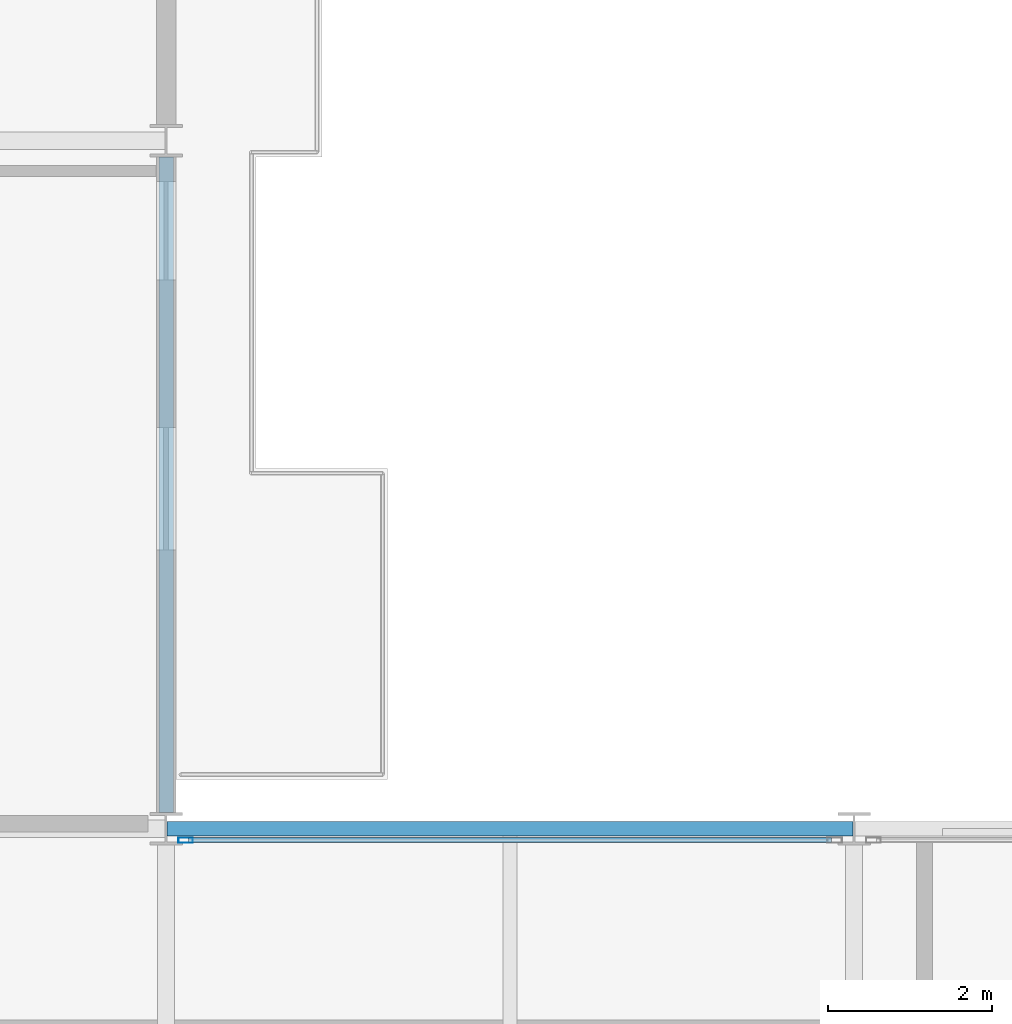
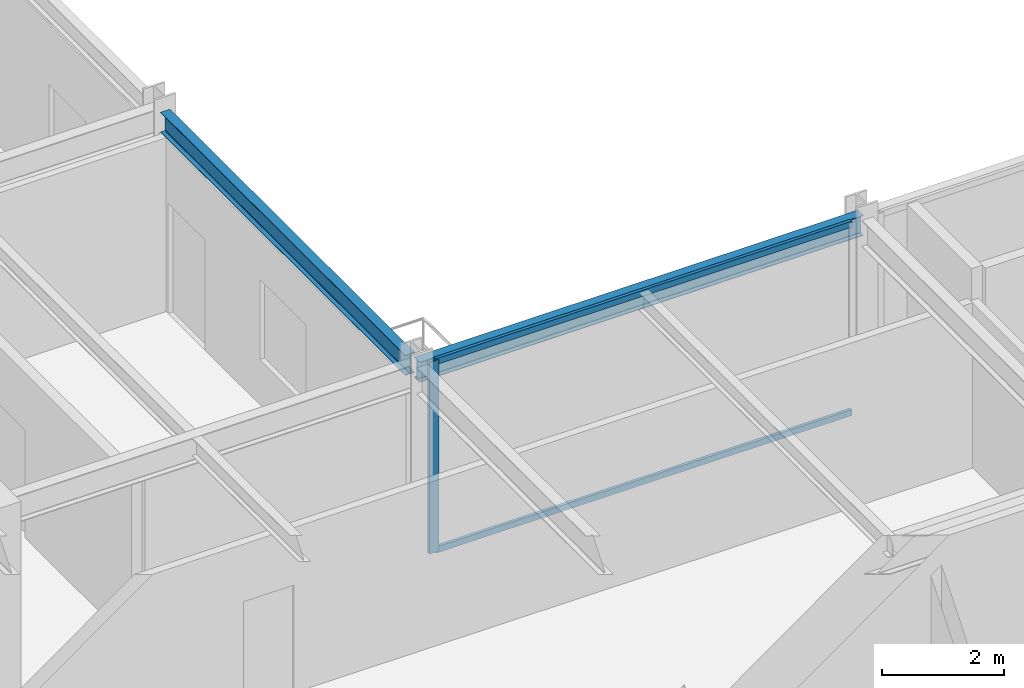
# One storey, part 12 of 29: 3 members, 2 beams, 1 element without a shape of its own.
"""IFC4 building model written with IfcOpenShell, lengths in metres."""

import ifcopenshell
import ifcopenshell.guid

model = None  # the IFC model being written
_history = None  # IfcOwnerHistory: only IFC2X3 demands one
_inside = {}  # id of a spatial element -> (the spatial element, [elements in it])
_under = {}  # id of a project, library or spatial element -> (it, [spatial elements below it])
_declared = {}  # id of a project -> (the project, [libraries it declares])
_typed = {}  # id of a type object -> (the type object, [elements of that type])
_made_of = {}  # id of a material, layer set ... -> (it, [elements and type objects made of it])


def new_model(schema):
    """Start an empty IFC model of exactly this schema.

    Asked for "IFC4X3", IfcOpenShell would pick the latest addendum, in which some entities
    have other attributes; the version numbers below select the first issue.
    IFC2X3 requires an IfcOwnerHistory on every rooted entity: one is made here for all.
    """
    global model, _history
    if schema == "IFC4X3":
        model = ifcopenshell.file(schema_version=(4, 3, 0, 0))
    else:
        model = ifcopenshell.file(schema=schema)
    _inside.clear()
    _under.clear()
    _declared.clear()
    _typed.clear()
    _made_of.clear()
    _history = None
    if model.schema == "IFC2X3":
        org = make("IfcOrganization", Name="unknown")
        user = make(
            "IfcPersonAndOrganization",
            ThePerson=make("IfcPerson", FamilyName="unknown"),
            TheOrganization=org,
        )
        app = make(
            "IfcApplication",
            ApplicationDeveloper=org,
            Version="unknown",
            ApplicationFullName="unknown",
            ApplicationIdentifier="unknown",
        )
        _history = make(
            "IfcOwnerHistory",
            OwningUser=user,
            OwningApplication=app,
            ChangeAction="ADDED",
            CreationDate=0,
        )
    return model


def make(cls, **values):
    """One entity of the class cls with the attributes given. An attribute that is None is left unset."""
    return model.create_entity(
        cls, **{name: value for name, value in values.items() if value is not None}
    )


def rooted(cls, **values):
    """An entity with a GlobalId (a new one), such as an element, a storey or a relation."""
    return make(cls, GlobalId=ifcopenshell.guid.new(), OwnerHistory=_history, **values)


def si_unit(unit_type, name, prefix=None):
    """IfcSIUnit, for example si_unit("LENGTHUNIT", "METRE", prefix="MILLI")."""
    return make("IfcSIUnit", UnitType=unit_type, Prefix=prefix, Name=name)


def assignment(units):
    """IfcUnitAssignment: the units of a project."""
    return None if units is None else make("IfcUnitAssignment", Units=units)


def point(xyz):
    """IfcCartesianPoint."""
    return None if xyz is None else make("IfcCartesianPoint", Coordinates=xyz)


def direction(xyz):
    """IfcDirection."""
    return None if xyz is None else make("IfcDirection", DirectionRatios=xyz)


def frame(location, z_axis=None, x_axis=None):
    """IfcAxis2Placement3D, a coordinate frame: its origin and axes. An axis left out is left unset."""
    return make(
        "IfcAxis2Placement3D",
        Location=point(location),
        Axis=direction(z_axis),
        RefDirection=direction(x_axis),
    )


def frame_2d(location, x_axis=None):
    """IfcAxis2Placement2D, a coordinate frame in the plane: its origin and x axis."""
    return make(
        "IfcAxis2Placement2D", Location=point(location), RefDirection=direction(x_axis)
    )


def origin():
    """The frame at (0, 0, 0) with its axes left unset."""
    return frame((0.0, 0.0, 0.0))


def origin_2d():
    """The frame at (0, 0) in the plane with its x axis left unset."""
    return frame_2d((0.0, 0.0))


def place(relative_to, where):
    """IfcLocalPlacement: puts the frame where relative to a parent placement (None: the world)."""
    return make(
        "IfcLocalPlacement", PlacementRelTo=relative_to, RelativePlacement=where
    )


def context(
    kind, dimensions, precision=None, world=None, true_north=None, identifier=None
):
    """IfcGeometricRepresentationContext, for example the 3D "Model" context."""
    return make(
        "IfcGeometricRepresentationContext",
        ContextIdentifier=identifier,
        ContextType=kind,
        CoordinateSpaceDimension=dimensions,
        Precision=precision,
        WorldCoordinateSystem=world,
        TrueNorth=true_north,
    )


def subcontext(parent, identifier, kind, view, scale=None):
    """IfcGeometricRepresentationSubContext, for example "Body" below "Model"."""
    return make(
        "IfcGeometricRepresentationSubContext",
        ContextIdentifier=identifier,
        ContextType=kind,
        ParentContext=parent,
        TargetScale=scale,
        TargetView=view,
    )


def project(units=None, contexts=None):
    """IfcProject with its units and contexts."""
    return rooted(
        "IfcProject",
        Name="project",
        RepresentationContexts=contexts,
        UnitsInContext=assignment(units),
    )


def spatial(cls, under=None, at=None, **own):
    """A site, building, storey or space (cls), placed at a placement, below another one or the project."""
    s = rooted(cls, ObjectPlacement=at, **own)
    if under is not None:
        _under.setdefault(under.id(), (under, []))[1].append(s)
    return s


def profile(cls, at=None, kind="AREA", **sizes):
    """A parametric profile (cls). Its sizes go by their IFC names, for example OverallWidth=200.0."""
    return make(cls, ProfileType=kind, Position=at, **sizes)


def hollow_rectangle(**sizes):
    """IfcRectangleHollowProfileDef."""
    return profile("IfcRectangleHollowProfileDef", **sizes)


def i_section(**sizes):
    """IfcIShapeProfileDef."""
    return profile("IfcIShapeProfileDef", **sizes)


def extrude(swept, where, along, depth):
    """IfcExtrudedAreaSolid: the profile swept, set in the frame where, extruded along a direction by depth."""
    return make(
        "IfcExtrudedAreaSolid",
        SweptArea=swept,
        Position=where,
        ExtrudedDirection=direction(along),
        Depth=depth,
    )


def shape(context_of_items, identifier, shape_type, items):
    """IfcShapeRepresentation: the items that make up one representation, for example the "Body"."""
    return make(
        "IfcShapeRepresentation",
        ContextOfItems=context_of_items,
        RepresentationIdentifier=identifier,
        RepresentationType=shape_type,
        Items=items,
    )


def material(Name=None, Category=None):
    """IfcMaterial."""
    return make("IfcMaterial", Name=Name, Category=Category)


def layer(
    of_material, thickness, ventilated=None, Name=None, Category=None, Priority=None
):
    """IfcMaterialLayer: one layer of a wall or slab, of a material (None: an air gap)."""
    return make(
        "IfcMaterialLayer",
        Material=of_material,
        LayerThickness=thickness,
        IsVentilated=ventilated,
        Name=Name,
        Category=Category,
        Priority=Priority,
    )


def layer_set(layers, Name=None):
    """IfcMaterialLayerSet."""
    return make("IfcMaterialLayerSet", MaterialLayers=layers, LayerSetName=Name)


def material_profile(
    of_material, cross_section, Name=None, Category=None, Priority=None
):
    """IfcMaterialProfile: a cross section and its material."""
    return make(
        "IfcMaterialProfile",
        Name=Name,
        Material=of_material,
        Profile=cross_section,
        Priority=Priority,
        Category=Category,
    )


def profile_set(profiles, Name=None, composite=None):
    """IfcMaterialProfileSet."""
    return make(
        "IfcMaterialProfileSet",
        Name=Name,
        MaterialProfiles=profiles,
        CompositeProfile=composite,
    )


def made_of(thing, what):
    """Note that an element or type object is made of a material, layer set ...; save() writes the relation."""
    if what is not None:
        _made_of.setdefault(what.id(), (what, []))[1].append(thing)
    return thing


def type_object(cls, material=None, **own):
    """A type object (cls), such as IfcWallType, which elements share."""
    return made_of(rooted(cls, **own), material)


def element(
    cls,
    number,
    at=None,
    inside=None,
    cuts=None,
    type_object=None,
    material=None,
    context=None,
    identifier="Body",
    shape_type=None,
    held_by="IfcProductDefinitionShape",
    body=None,
    shapes=None,
    **own,
):
    """One element of the class cls, such as IfcWall. Its Tag is "e" and its number.

    at: its placement. inside: the storey or other place that contains it. cuts: it is an
    opening in that element (IfcRelVoidsElement). A single representation is given by context,
    identifier, shape_type and body (its items); several are given by shapes. held_by: the class
    of the entity that holds the representations. save() writes the other relations.
    """
    e = rooted(cls, Tag="e%d" % number, ObjectPlacement=at, **own)
    if body is not None:
        shapes = [shape(context, identifier, shape_type, body)]
    if shapes is not None:
        e.Representation = make(held_by, Representations=shapes)
    if inside is not None:
        _inside.setdefault(inside.id(), (inside, []))[1].append(e)
    if cuts is not None:
        rooted(
            "IfcRelVoidsElement", RelatingBuildingElement=cuts, RelatedOpeningElement=e
        )
    if type_object is not None:
        _typed.setdefault(type_object.id(), (type_object, []))[1].append(e)
    return made_of(e, material)


def aggregate(whole, parts):
    """IfcRelAggregates: a whole, such as a stair, and the parts it consists of."""
    return rooted("IfcRelAggregates", RelatingObject=whole, RelatedObjects=parts)


def save(model, path):
    """Write the relations noted so far, then the file.

    IfcRelAggregates (storeys below a building ...), IfcRelContainedInSpatialStructure (elements
    in a storey), IfcRelDefinesByType, IfcRelAssociatesMaterial and IfcRelDeclares: one each for
    every whole, place, type object, material and project.
    """
    for whole, parts in _under.values():
        aggregate(whole, parts)
    for where, things in _inside.values():
        rooted(
            "IfcRelContainedInSpatialStructure",
            RelatedElements=things,
            RelatingStructure=where,
        )
    for kind, things in _typed.values():
        rooted("IfcRelDefinesByType", RelatedObjects=things, RelatingType=kind)
    for what, things in _made_of.values():
        rooted("IfcRelAssociatesMaterial", RelatedObjects=things, RelatingMaterial=what)
    for by, libraries in _declared.values():
        rooted("IfcRelDeclares", RelatingContext=by, RelatedDefinitions=libraries)
    model.write(path)


model = new_model("IFC4")

# Units and contexts
model_context = context("Model", 3, precision=1e-05, world=origin(), true_north=direction((0.0, 1.0)))
body_context = subcontext(model_context, "Body", "Model", "MODEL_VIEW")
ifc_project = project(units=[si_unit("LENGTHUNIT", "METRE"), si_unit("AREAUNIT", "SQUARE_METRE"), si_unit("VOLUMEUNIT", "CUBIC_METRE"), si_unit("PLANEANGLEUNIT", "RADIAN"), si_unit("MASSUNIT", "GRAM", prefix="KILO")], contexts=[model_context])

# Site, building, storey
site_placement = place(None, origin())
site = spatial("IfcSite", under=ifc_project, at=site_placement, CompositionType="ELEMENT")
building_placement = place(site_placement, origin())
building = spatial("IfcBuilding", under=site, at=building_placement, Name="Nerrivon Quay Data Exchange", CompositionType="ELEMENT")
storey_placement = place(building_placement, frame((0.0, 0.0, 137.699951171875)))
storey = spatial("IfcBuildingStorey", under=building, at=storey_placement, Name="L32", CompositionType="ELEMENT", Elevation=137.699951171875)

# Beams
ifc_material_1 = material(Name="Steel Grade 350", Category="steel")
ifc_material_profile_1 = material_profile(ifc_material_1, i_section(OverallWidth=0.177978515625, OverallDepth=0.403076171875, WebThickness=0.007568359375, FlangeThickness=0.010986328125, FilletRadius=0.011474609375, at=origin_2d()), Name="410UB53.7")
ifc_profile_set_1 = profile_set([ifc_material_profile_1], Name="Steel Grade 350")
beam_type = type_object("IfcBeamType", Name="BM-SP2-410UB54", PredefinedType="SPANDREL", material=ifc_profile_set_1)
beam_1_placement = place(storey_placement, frame((25.21240234375, 25.199951171875, 3.62353515625), z_axis=(1.0, 0.0, 0.0), x_axis=(0.0, 1.0, 0.0)))
element("IfcBeam", 1, at=beam_1_placement, inside=storey, type_object=beam_type, Name="L32 EW Girder Y=25.2 (25.2..33.6)", PredefinedType="SPANDREL", context=body_context, shape_type="SweptSolid", body=[
    extrude(i_section(OverallWidth=0.177978515625, OverallDepth=0.403076171875, WebThickness=0.007568359375, FlangeThickness=0.010986328125, FilletRadius=0.011474609375, at=origin_2d()), origin(), (0.0, 0.0, 1.0), 8.375),
])
beam_2_placement = place(storey_placement, frame((25.199951171875, 25.39990234375, 3.62353515625), z_axis=(0.0, 1.0, 0.0), x_axis=(-1.0, 0.0, 0.0)))
element("IfcBeam", 2, at=beam_2_placement, inside=storey, type_object=beam_type, Name="L32 NS Girder X=25.2 (25.2..33.6)", PredefinedType="SPANDREL", context=body_context, shape_type="SweptSolid", body=[
    extrude(i_section(OverallWidth=0.177978515625, OverallDepth=0.403076171875, WebThickness=0.007568359375, FlangeThickness=0.010986328125, FilletRadius=0.011474609375, at=origin_2d()), origin(), (0.0, 0.0, 1.0), 8.0),
])

# Curtain wall, members
ifc_material_2 = material(Name="Anodised aluminium 6063-T6", Category="aluminium")
ifc_layer = layer(ifc_material_2, 0.2099609375)
ifc_layer_set = layer_set([ifc_layer], Name="Anodised aluminium 6063-T6")
curtain_wall_type = type_object("IfcCurtainWallType", Name="CW-SYS-02", PredefinedType="NOTDEFINED", material=ifc_layer_set)
curtain_wall_placement = place(storey_placement, origin())
curtain_wall = element("IfcCurtainWall", 3, at=curtain_wall_placement, inside=storey, type_object=curtain_wall_type, Name="L32 Unitised Curtain Wall 26", PredefinedType="NOTDEFINED")
ifc_material_profile_2 = material_profile(ifc_material_2, hollow_rectangle(XDim=0.06494140625, YDim=0.179931640625, WallThickness=0.00341796875, at=origin_2d()), Name="ALU-MULL-180x65")
ifc_profile_set_2 = profile_set([ifc_material_profile_2], Name="Anodised aluminium 6063-T6")
member_type_1 = type_object("IfcMemberType", Name="CWM-180x65", PredefinedType="MULLION", material=ifc_profile_set_2)
member_1_placement = place(storey_placement, frame((25.4375, 25.06005859375, 0.0), z_axis=(0.0, 0.0, 1.0), x_axis=(0.0, 1.0, 0.0)))
member_1 = element("IfcMember", 4, at=member_1_placement, type_object=member_type_1, Name="CW02 mullion 1", PredefinedType="MULLION", context=body_context, shape_type="SweptSolid", body=[
    extrude(hollow_rectangle(XDim=0.06494140625, YDim=0.179931640625, WallThickness=0.00341796875, at=origin_2d()), origin(), (0.0, 0.0, 1.0), 3.824951171875),
])
ifc_material_profile_3 = material_profile(ifc_material_2, hollow_rectangle(XDim=0.06005859375, YDim=0.1201171875, WallThickness=0.003173828125, at=origin_2d()), Name="ALU-TRAN-120x60")
ifc_profile_set_3 = profile_set([ifc_material_profile_3], Name="Anodised aluminium 6063-T6")
member_type_2 = type_object("IfcMemberType", Name="CWT-120x60", PredefinedType="USERDEFINED", material=ifc_profile_set_3)
member_2_placement = place(storey_placement, frame((25.47509765625, 25.06005859375, 0.032470703125), z_axis=(1.0, 0.0, 0.0), x_axis=(0.0, 1.0, 0.0)))
member_2 = element("IfcMember", 5, at=member_2_placement, type_object=member_type_2, Name="CW02 transom 1.1", ObjectType="TRANSOM", PredefinedType="USERDEFINED", context=body_context, shape_type="SweptSolid", body=[
    extrude(hollow_rectangle(XDim=0.06005859375, YDim=0.1201171875, WallThickness=0.003173828125, at=origin_2d()), origin(), (0.0, 0.0, 1.0), 7.849853515625),
])
member_3_placement = place(storey_placement, frame((25.47509765625, 25.06005859375, 3.79248046875), z_axis=(1.0, 0.0, 0.0), x_axis=(0.0, 1.0, 0.0)))
member_3 = element("IfcMember", 6, at=member_3_placement, type_object=member_type_2, Name="CW02 transom 1.2", ObjectType="TRANSOM", PredefinedType="USERDEFINED", context=body_context, shape_type="SweptSolid", body=[
    extrude(hollow_rectangle(XDim=0.06005859375, YDim=0.1201171875, WallThickness=0.003173828125, at=origin_2d()), origin(), (0.0, 0.0, 1.0), 7.849853515625),
])
aggregate(curtain_wall, [member_1, member_2, member_3])

save(model, "model.ifc")
